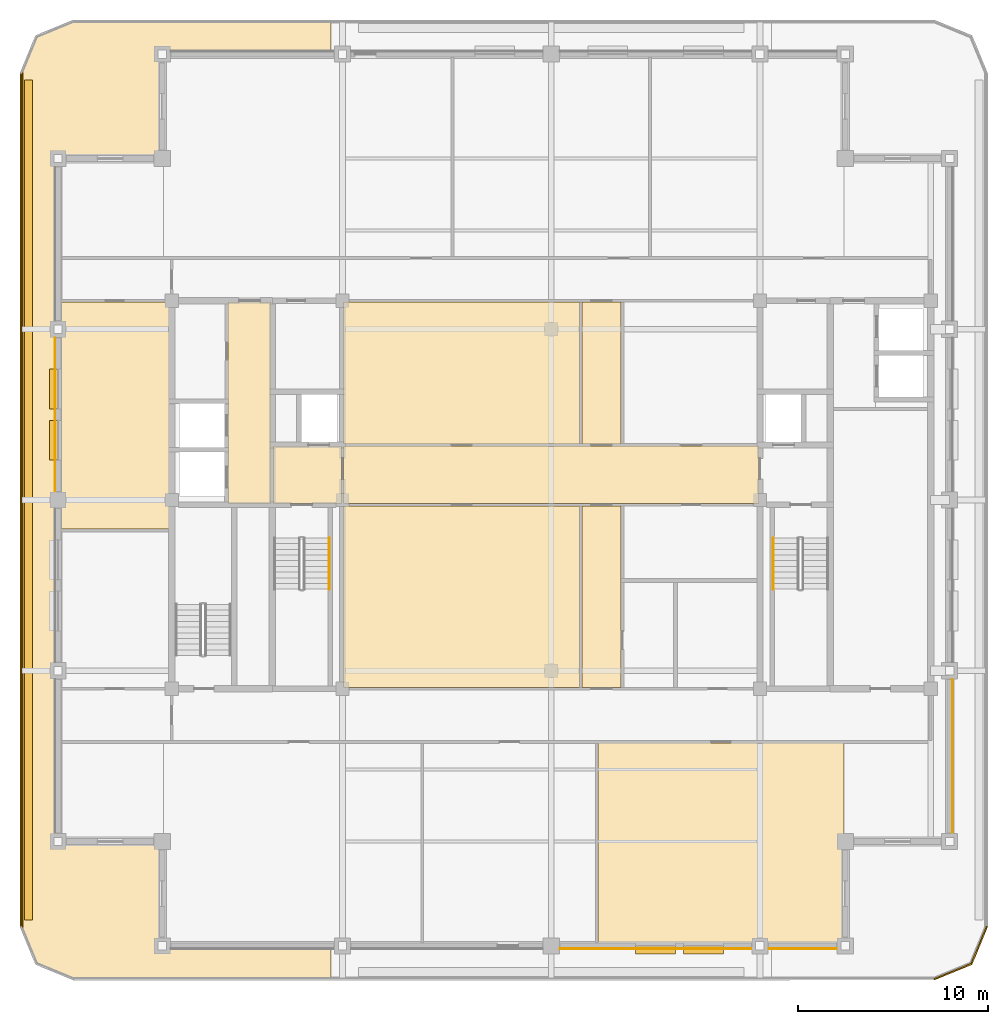
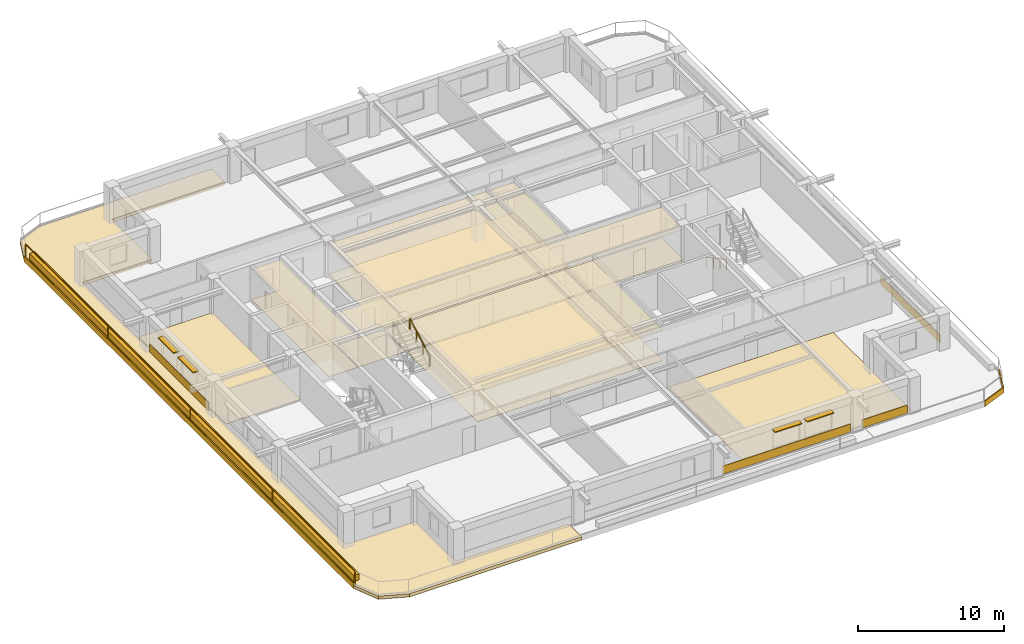
# One storey, part 9 of 11: 25 coverings, 4 shading devices, 3 railings.
"""IFC4 building model written with IfcOpenShell, lengths in metres."""

from ifc_helpers import new_model, si_unit, direction, frame, frame_2d, origin, origin_2d, place, context, subcontext, project, spatial, polyline, rectangle, outline, extrude, material, layer, layer_set, type_object, element, save


model = new_model("IFC4")

# Units and contexts
model_context = context("Model", 3, precision=1e-05, world=origin(), true_north=direction((0.0, 1.0)))
body_context = subcontext(model_context, "Body", "Model", "MODEL_VIEW")
ifc_project = project(units=[si_unit("LENGTHUNIT", "METRE"), si_unit("AREAUNIT", "SQUARE_METRE"), si_unit("VOLUMEUNIT", "CUBIC_METRE"), si_unit("PLANEANGLEUNIT", "RADIAN"), si_unit("MASSUNIT", "GRAM", prefix="KILO")], contexts=[model_context])

# Site, building, storey
site_placement = place(None, origin())
site = spatial("IfcSite", under=ifc_project, at=site_placement, CompositionType="ELEMENT")
building_placement = place(site_placement, origin())
building = spatial("IfcBuilding", under=site, at=building_placement, Name="Zulmaris Gate Convention Tower", CompositionType="ELEMENT")
storey_placement = place(building_placement, frame((0.0, 0.0, 264.119873046875)))
storey = spatial("IfcBuildingStorey", under=building, at=storey_placement, Name="L70", CompositionType="ELEMENT", Elevation=264.119873046875)

# Coverings
ifc_material_1 = material(Name="Precast concrete C40/50", Category="concrete")
ifc_layer_1 = layer(ifc_material_1, 0.0400390625, Name="Precast concrete C40/50")
ifc_layer_set_1 = layer_set([ifc_layer_1], Name="Precast concrete C40/50")
covering_type_1 = type_object("IfcCoveringType", Name="CLAD-SPANDREL-PRECAST", PredefinedType="CLADDING", material=ifc_layer_set_1)
covering_1_placement = place(storey_placement, frame((0.455078125, -23.64990234375, 0.0), z_axis=(0.0, 0.0, 1.0), x_axis=(1.0, 0.0, 0.0)))
element("IfcCovering", 1, at=covering_1_placement, inside=storey, type_object=covering_type_1, Name="CLD-L70-S-2_0", PredefinedType="CLADDING", context=body_context, shape_type="SweptSolid", body=[
    extrude(rectangle(XDim=10.08984375, YDim=0.0400390625, at=frame_2d((5.044921875, 0.0))), origin(), (0.0, 0.0, 1.0), 0.679931640625),
])
covering_2_placement = place(storey_placement, frame((11.455078125, -23.64990234375, 0.0), z_axis=(0.0, 0.0, 1.0), x_axis=(1.0, 0.0, 0.0)))
element("IfcCovering", 2, at=covering_2_placement, inside=storey, type_object=covering_type_1, Name="CLD-L70-S-3_0", PredefinedType="CLADDING", context=body_context, shape_type="SweptSolid", body=[
    extrude(rectangle(XDim=3.58984375, YDim=0.0400390625, at=frame_2d((1.794921875, 0.0))), origin(), (0.0, 0.0, 1.0), 0.679931640625),
])
for number, where, z_axis, x_axis, name in (
    (3, (21.14990234375, -17.544921875, 0.0), (0.0, 0.0, 1.0), (0.0, 1.0, 0.0), "CLD-L70-E-0_0"),
    (4, (-26.14990234375, 8.544921875, 0.0), (0.0, 0.0, 1.0), (0.0, -1.0, 0.0), "CLD-L70-W-2_0"),
):
    element("IfcCovering", number, at=place(storey_placement, frame(where, z_axis=z_axis, x_axis=x_axis)), inside=storey, type_object=covering_type_1, Name=name, PredefinedType="CLADDING", context=body_context, shape_type="SweptSolid", body=[
        extrude(rectangle(XDim=8.08984375, YDim=0.0400390625, at=frame_2d((4.044921875, 0.0))), origin(), (0.0, 0.0, 1.0), 0.679931640625),
    ])
ifc_material_2 = material(Name="White Glazed Architectural Precast Concrete C40/50", Category="concrete")
ifc_layer_2 = layer(ifc_material_2, 0.239990234375, Name="White Glazed Architectural Precast Concrete C40/50")
ifc_layer_set_2 = layer_set([ifc_layer_2], Name="White Glazed Architectural Precast Concrete C40/50")
covering_type_2 = type_object("IfcCoveringType", Name="CLAD-TRAY-DECK", PredefinedType="CLADDING", material=ifc_layer_set_2)
covering_3_placement = place(storey_placement, frame((0.0, 0.0, -0.25)))
element("IfcCovering", 5, at=covering_3_placement, inside=storey, type_object=covering_type_2, Name="L70 West Rounded-Fascia Planter Tray Deck", PredefinedType="CLADDING", context=body_context, shape_type="SweptSolid", body=[
    extrude(outline(polyline([(-28.0, 22.5), (-27.179931640625, 24.47998046875), (-25.199951171875, 25.300048828125), (-11.60205078125, 25.300048828125), (-11.60205078125, 23.5), (-20.5, 23.5), (-20.5, 18.0), (-26.0, 18.0), (-26.0, -18.0), (-20.5, -18.0), (-20.5, -23.5), (-11.60205078125, -23.5), (-11.60205078125, -25.300048828125), (-25.199951171875, -25.300048828125), (-27.179931640625, -24.47998046875), (-28.0, -22.5), (-28.0, 22.5)])), origin(), (0.0, 0.0, 1.0), 0.260009765625),
])
ifc_layer_3 = layer(ifc_material_2, 0.080078125, Name="White Glazed Architectural Precast Concrete C40/50")
ifc_layer_set_3 = layer_set([ifc_layer_3], Name="White Glazed Architectural Precast Concrete C40/50")
covering_type_3 = type_object("IfcCoveringType", Name="CLAD-TRAY-FASCIA", PredefinedType="CLADDING", material=ifc_layer_set_3)
covering_4_placement = place(storey_placement, frame((20.184814453125, -25.262939453125, -0.2900390625), z_axis=(0.0, 0.0, 1.0), x_axis=(0.923873803533, 0.382697263049, 0.0)))
element("IfcCovering", 6, at=covering_4_placement, inside=storey, type_object=covering_type_3, Name="FSC-L70-TR-03", PredefinedType="CLADDING", context=body_context, shape_type="SweptSolid", body=[
    extrude(rectangle(XDim=2.142822265625, YDim=0.080078125, at=frame_2d((1.0712890625, 0.0))), origin(), (0.0, 0.0, 1.0), 0.4599609375),
])
covering_5_placement = place(storey_placement, frame((22.142822265625, -24.464599609375, -0.2900390625), z_axis=(0.0, 0.0, 1.0), x_axis=(0.382656984709, 0.923890487046, 0.0)))
element("IfcCovering", 7, at=covering_5_placement, inside=storey, type_object=covering_type_3, Name="FSC-L70-TR-04", PredefinedType="CLADDING", context=body_context, shape_type="SweptSolid", body=[
    extrude(rectangle(XDim=2.14306640625, YDim=0.080078125, at=frame_2d((1.071533203125, 0.0))), origin(), (0.0, 0.0, 1.0), 0.4599609375),
])
covering_6_placement = place(storey_placement, frame((-27.9599609375, 22.5, -0.2900390625), z_axis=(0.0, 0.0, 1.0), x_axis=(0.0, -1.0, 0.0)))
element("IfcCovering", 8, at=covering_6_placement, inside=storey, type_object=covering_type_3, Name="FSC-L70-TR-11", PredefinedType="CLADDING", context=body_context, shape_type="SweptSolid", body=[
    extrude(rectangle(XDim=45.0, YDim=0.080078125, at=frame_2d((22.5, 0.0))), origin(), (0.0, 0.0, 1.0), 0.4599609375),
])
ifc_material_3 = material(Name="Mineral Fibre Acoustic Ceiling Tile")
ifc_layer_4 = layer(ifc_material_3, 0.02001953125, Name="Mineral Fibre Acoustic Ceiling Tile")
ifc_layer_set_4 = layer_set([ifc_layer_4], Name="Mineral Fibre Acoustic Ceiling Tile")
covering_type_4 = type_object("IfcCoveringType", Name="CLG-ACOUSTIC-600", PredefinedType="CEILING", material=ifc_layer_set_4)
covering_7_placement = place(storey_placement, frame((0.0, 0.0, 2.7001953125)))
element("IfcCovering", 9, at=covering_7_placement, inside=storey, type_object=covering_type_4, Name="CLG-L70-R03", PredefinedType="CEILING", context=body_context, shape_type="SweptSolid", body=[
    extrude(outline(polyline([(-14.639892578125, -0.18994140625), (-11.06005859375, -0.18994140625), (-11.06005859375, 2.840087890625), (-14.639892578125, 2.840087890625), (-14.639892578125, -0.18994140625)])), origin(), (0.0, 0.0, 1.0), 0.02001953125),
])
covering_8_placement = place(storey_placement, frame((0.0, 0.0, 2.538330078125)))
element("IfcCovering", 10, at=covering_8_placement, inside=storey, type_object=covering_type_4, Name="CLG-L70-R17", PredefinedType="CEILING", context=body_context, shape_type="SweptSolid", body=[
    extrude(outline(polyline([(-17.0400390625, -0.18994140625), (-14.760009765625, -0.18994140625), (-14.760009765625, 10.43994140625), (-17.0400390625, 10.43994140625), (-17.0400390625, -0.18994140625)])), origin(), (0.0, 0.0, 1.0), 0.019775390625),
])
covering_9_placement = place(storey_placement, frame((0.0, 0.0, 2.538330078125)))
element("IfcCovering", 11, at=covering_9_placement, inside=storey, type_object=covering_type_4, Name="CLG-L70-R27", PredefinedType="CEILING", context=body_context, shape_type="SweptSolid", body=[
    extrude(outline(polyline([(-10.93994140625, -0.18994140625), (10.93994140625, -0.18994140625), (10.93994140625, 2.840087890625), (-10.93994140625, 2.840087890625), (-10.93994140625, -0.18994140625)])), origin(), (0.0, 0.0, 1.0), 0.019775390625),
])
covering_10_placement = place(storey_placement, frame((0.0, 0.0, 2.538330078125)))
element("IfcCovering", 12, at=covering_10_placement, inside=storey, type_object=covering_type_4, Name="CLG-L70-R28", PredefinedType="CEILING", context=body_context, shape_type="SweptSolid", body=[
    extrude(outline(polyline([(1.610107421875, 2.9599609375), (3.68994140625, 2.9599609375), (3.68994140625, 10.43994140625), (1.610107421875, 10.43994140625), (1.610107421875, 2.9599609375)])), origin(), (0.0, 0.0, 1.0), 0.019775390625),
])
covering_11_placement = place(storey_placement, frame((0.0, 0.0, 2.538330078125)))
element("IfcCovering", 13, at=covering_11_placement, inside=storey, type_object=covering_type_4, Name="CLG-L70-R29", PredefinedType="CEILING", context=body_context, shape_type="SweptSolid", body=[
    extrude(outline(polyline([(1.610107421875, -9.889892578125), (3.68994140625, -9.889892578125), (3.68994140625, -0.31005859375), (1.610107421875, -0.31005859375), (1.610107421875, -9.889892578125)])), origin(), (0.0, 0.0, 1.0), 0.019775390625),
])
covering_12_placement = place(storey_placement, frame((0.0, 0.0, 2.538330078125)))
element("IfcCovering", 14, at=covering_12_placement, inside=storey, type_object=covering_type_4, Name="CLG-L70-R36", PredefinedType="CEILING", context=body_context, shape_type="SweptSolid", body=[
    extrude(outline(polyline([(-10.93994140625, 2.9599609375), (1.489990234375, 2.9599609375), (1.489990234375, 10.43994140625), (-10.93994140625, 10.43994140625), (-10.93994140625, 2.9599609375)])), origin(), (0.0, 0.0, 1.0), 0.019775390625),
])
covering_13_placement = place(storey_placement, frame((0.0, 0.0, 2.538330078125)))
element("IfcCovering", 15, at=covering_13_placement, inside=storey, type_object=covering_type_4, Name="CLG-L70-R38", PredefinedType="CEILING", context=body_context, shape_type="SweptSolid", body=[
    extrude(outline(polyline([(-10.93994140625, -9.889892578125), (1.489990234375, -9.889892578125), (1.489990234375, -0.31005859375), (-10.93994140625, -0.31005859375), (-10.93994140625, -9.889892578125)])), origin(), (0.0, 0.0, 1.0), 0.019775390625),
])
ifc_material_4 = material(Name="Woven Acoustic Wool Carpet Tile")
ifc_layer_5 = layer(ifc_material_4, 0.02001953125, Name="Woven Acoustic Wool Carpet Tile")
ifc_layer_set_5 = layer_set([ifc_layer_5], Name="Woven Acoustic Wool Carpet Tile")
covering_type_5 = type_object("IfcCoveringType", Name="FLR-CARPET-12", PredefinedType="FLOORING", material=ifc_layer_set_5)
covering_14_placement = place(storey_placement, origin())
element("IfcCovering", 16, at=covering_14_placement, inside=storey, type_object=covering_type_5, Name="FLR-L70-R03", PredefinedType="FLOORING", context=body_context, shape_type="SweptSolid", body=[
    extrude(outline(polyline([(-14.639892578125, -0.18994140625), (-11.06005859375, -0.18994140625), (-11.06005859375, 2.840087890625), (-14.639892578125, 2.840087890625), (-14.639892578125, -0.18994140625)])), origin(), (0.0, 0.0, 1.0), 0.02001953125),
])
covering_15_placement = place(storey_placement, origin())
element("IfcCovering", 17, at=covering_15_placement, inside=storey, type_object=covering_type_5, Name="FLR-L70-R17", PredefinedType="FLOORING", context=body_context, shape_type="SweptSolid", body=[
    extrude(outline(polyline([(-17.0400390625, -0.18994140625), (-14.760009765625, -0.18994140625), (-14.760009765625, 10.43994140625), (-17.0400390625, 10.43994140625), (-17.0400390625, -0.18994140625)])), origin(), (0.0, 0.0, 1.0), 0.02001953125),
])
covering_16_placement = place(storey_placement, origin())
element("IfcCovering", 18, at=covering_16_placement, inside=storey, type_object=covering_type_5, Name="FLR-L70-R27", PredefinedType="FLOORING", context=body_context, shape_type="SweptSolid", body=[
    extrude(outline(polyline([(-10.93994140625, -0.18994140625), (10.93994140625, -0.18994140625), (10.93994140625, 2.840087890625), (-10.93994140625, 2.840087890625), (-10.93994140625, -0.18994140625)])), origin(), (0.0, 0.0, 1.0), 0.02001953125),
])
covering_17_placement = place(storey_placement, origin())
element("IfcCovering", 19, at=covering_17_placement, inside=storey, type_object=covering_type_5, Name="FLR-L70-R28", PredefinedType="FLOORING", context=body_context, shape_type="SweptSolid", body=[
    extrude(outline(polyline([(1.610107421875, 2.9599609375), (3.68994140625, 2.9599609375), (3.68994140625, 10.43994140625), (1.610107421875, 10.43994140625), (1.610107421875, 2.9599609375)])), origin(), (0.0, 0.0, 1.0), 0.02001953125),
])
covering_18_placement = place(storey_placement, origin())
element("IfcCovering", 20, at=covering_18_placement, inside=storey, type_object=covering_type_5, Name="FLR-L70-R29", PredefinedType="FLOORING", context=body_context, shape_type="SweptSolid", body=[
    extrude(outline(polyline([(1.610107421875, -9.889892578125), (3.68994140625, -9.889892578125), (3.68994140625, -0.31005859375), (1.610107421875, -0.31005859375), (1.610107421875, -9.889892578125)])), origin(), (0.0, 0.0, 1.0), 0.02001953125),
])
covering_19_placement = place(storey_placement, origin())
element("IfcCovering", 21, at=covering_19_placement, inside=storey, type_object=covering_type_5, Name="FLR-L70-R35", PredefinedType="FLOORING", context=body_context, shape_type="SweptSolid", body=[
    extrude(outline(polyline([(2.4599609375, -23.43994140625), (15.43994140625, -23.43994140625), (15.43994140625, -12.81005859375), (2.4599609375, -12.81005859375), (2.4599609375, -23.43994140625)])), origin(), (0.0, 0.0, 1.0), 0.02001953125),
])
covering_20_placement = place(storey_placement, origin())
element("IfcCovering", 22, at=covering_20_placement, inside=storey, type_object=covering_type_5, Name="FLR-L70-R38", PredefinedType="FLOORING", context=body_context, shape_type="SweptSolid", body=[
    extrude(outline(polyline([(-10.93994140625, -9.889892578125), (1.489990234375, -9.889892578125), (1.489990234375, -0.31005859375), (-10.93994140625, -0.31005859375), (-10.93994140625, -9.889892578125)])), origin(), (0.0, 0.0, 1.0), 0.02001953125),
])
covering_21_placement = place(storey_placement, origin())
element("IfcCovering", 23, at=covering_21_placement, inside=storey, type_object=covering_type_5, Name="FLR-L70-R44", PredefinedType="FLOORING", context=body_context, shape_type="SweptSolid", body=[
    extrude(outline(polyline([(-25.93994140625, -1.5400390625), (-20.06005859375, -1.5400390625), (-20.06005859375, 10.43994140625), (-25.93994140625, 10.43994140625), (-25.93994140625, -1.5400390625)])), origin(), (0.0, 0.0, 1.0), 0.02001953125),
])
ifc_material_5 = material(Name="Polished Granite Terrazzo Tile", Category="masonry")
ifc_layer_6 = layer(ifc_material_5, 0.02001953125, Name="Polished Granite Terrazzo Tile")
ifc_layer_set_6 = layer_set([ifc_layer_6], Name="Polished Granite Terrazzo Tile")
covering_type_6 = type_object("IfcCoveringType", Name="FLR-TERRAZZO-30", PredefinedType="FLOORING", material=ifc_layer_set_6)
covering_22_placement = place(storey_placement, origin())
element("IfcCovering", 24, at=covering_22_placement, inside=storey, type_object=covering_type_6, Name="FLR-L70-R36", PredefinedType="FLOORING", context=body_context, shape_type="SweptSolid", body=[
    extrude(outline(polyline([(-10.93994140625, 2.9599609375), (1.489990234375, 2.9599609375), (1.489990234375, 10.43994140625), (-10.93994140625, 10.43994140625), (-10.93994140625, 2.9599609375)])), origin(), (0.0, 0.0, 1.0), 0.02001953125),
])
ifc_material_6 = material(Name="Botanical Green Glazed Precast Concrete C40/50", Category="concrete")
ifc_layer_7 = layer(ifc_material_6, 0.419921875, Name="Botanical Green Glazed Precast Concrete C40/50")
ifc_layer_set_7 = layer_set([ifc_layer_7], Name="Botanical Green Glazed Precast Concrete C40/50")
covering_type_7 = type_object("IfcCoveringType", Name="PLANTER-BOX-200", PredefinedType="CLADDING", material=ifc_layer_set_7)
covering_23_placement = place(storey_placement, frame((0.0, 0.0, 0.010009765625)))
element("IfcCovering", 25, at=covering_23_placement, inside=storey, type_object=covering_type_7, Name="L70 W Full-Length Balcony Tree Planter Trough", PredefinedType="CLADDING", context=body_context, shape_type="SweptSolid", body=[
    extrude(outline(polyline([(-27.760009765625, -22.14990234375), (-27.340087890625, -22.14990234375), (-27.340087890625, 22.14990234375), (-27.760009765625, 22.14990234375), (-27.760009765625, -22.14990234375)])), origin(), (0.0, 0.0, 1.0), 0.52001953125),
])

# Railings
ifc_material_7 = material(Name="Laminated Glass and Stainless Steel", Category="steel")
railing_type_1 = type_object("IfcRailingType", Name="RL-BALC-1150", PredefinedType="BALUSTRADE", material=ifc_material_7)
railing_1_placement = place(storey_placement, frame((-27.8798828125, 22.5, 0.010009765625)))
element("IfcRailing", 26, at=railing_1_placement, inside=storey, type_object=railing_type_1, Name="RL-L70-BALC-W", PredefinedType="BALUSTRADE", context=body_context, shape_type="SweptSolid", body=[
    extrude(rectangle(XDim=0.048095703125, YDim=0.048095703125, at=origin_2d()), frame((0.0, 0.0, 1.1259765625), z_axis=(0.0, -1.0, 0.0), x_axis=(1.0, 0.0, 0.0)), (0.0, 0.0, 1.0), 45.0),
    extrude(rectangle(XDim=0.048095703125, YDim=0.048095703125, at=origin_2d()), frame((0.0, 0.0, 0.02392578125), z_axis=(0.0, -1.0, 0.0), x_axis=(1.0, 0.0, 0.0)), (0.0, 0.0, 1.0), 45.0),
    extrude(rectangle(XDim=0.0419921875, YDim=0.0419921875, at=origin_2d()), origin(), (0.0, 0.0, 1.0), 1.101806640625),
    extrude(rectangle(XDim=0.0419921875, YDim=0.0419921875, at=origin_2d()), frame((0.0, -11.25, 0.0)), (0.0, 0.0, 1.0), 1.101806640625),
    extrude(rectangle(XDim=0.0419921875, YDim=0.0419921875, at=origin_2d()), frame((0.0, -22.5, 0.0)), (0.0, 0.0, 1.0), 1.101806640625),
    extrude(rectangle(XDim=0.0419921875, YDim=0.0419921875, at=origin_2d()), frame((0.0, -33.75, 0.0)), (0.0, 0.0, 1.0), 1.101806640625),
    extrude(rectangle(XDim=0.0419921875, YDim=0.0419921875, at=origin_2d()), frame((0.0, -45.0, 0.0)), (0.0, 0.0, 1.0), 1.101806640625),
])
ifc_material_8 = material(Name="Brushed Stainless Steel", Category="steel")
railing_type_2 = type_object("IfcRailingType", Name="RL-STH-900", PredefinedType="HANDRAIL", material=ifc_material_8)
railing_2_placement = place(storey_placement, frame((-11.7099609375, -4.699951171875, 1.776611328125)))
element("IfcRailing", 27, at=railing_2_placement, inside=storey, type_object=railing_type_2, Name="L70 ST-1 stair handrail 2", PredefinedType="HANDRAIL", context=body_context, shape_type="SweptSolid", body=[
    extrude(rectangle(XDim=0.048095703125, YDim=0.048095703125, at=origin_2d()), frame((0.0, 0.0, 0.8759765625), z_axis=(0.0, 0.880499220447, 0.474047595492), x_axis=(-1.0, 0.0, 0.0)), (0.0, 0.0, 1.0), 3.06640625),
    extrude(rectangle(XDim=0.0419921875, YDim=0.0419921875, at=origin_2d()), origin(), (0.0, 0.0, 1.0), 0.851806640625),
    extrude(rectangle(XDim=0.0419921875, YDim=0.0419921875, at=origin_2d()), frame((0.0, 0.89990234375, 0.484619140625)), (0.0, 0.0, 1.0), 0.851806640625),
    extrude(rectangle(XDim=0.0419921875, YDim=0.0419921875, at=origin_2d()), frame((0.0, 1.800048828125, 0.968994140625)), (0.0, 0.0, 1.0), 0.851806640625),
    extrude(rectangle(XDim=0.0419921875, YDim=0.0419921875, at=origin_2d()), frame((0.0, 2.699951171875, 1.45361328125)), (0.0, 0.0, 1.0), 0.851806640625),
])
railing_3_placement = place(storey_placement, frame((11.7099609375, -2.0, 0.16162109375)))
element("IfcRailing", 28, at=railing_3_placement, inside=storey, type_object=railing_type_2, Name="L70 ST-2 stair handrail 1", PredefinedType="HANDRAIL", context=body_context, shape_type="SweptSolid", body=[
    extrude(rectangle(XDim=0.048095703125, YDim=0.048095703125, at=origin_2d()), frame((0.0, 0.0, 0.8759765625), z_axis=(0.0, -0.880499220447, 0.474047595492), x_axis=(1.0, 0.0, 0.0)), (0.0, 0.0, 1.0), 3.06640625),
    extrude(rectangle(XDim=0.0419921875, YDim=0.0419921875, at=origin_2d()), origin(), (0.0, 0.0, 1.0), 0.851806640625),
    extrude(rectangle(XDim=0.0419921875, YDim=0.0419921875, at=origin_2d()), frame((0.0, -0.89990234375, 0.484619140625)), (0.0, 0.0, 1.0), 0.851806640625),
    extrude(rectangle(XDim=0.0419921875, YDim=0.0419921875, at=origin_2d()), frame((0.0, -1.800048828125, 0.968994140625)), (0.0, 0.0, 1.0), 0.851806640625),
    extrude(rectangle(XDim=0.0419921875, YDim=0.0419921875, at=origin_2d()), frame((0.0, -2.699951171875, 1.45361328125)), (0.0, 0.0, 1.0), 0.851806640625),
])

# Shading devices
ifc_material_9 = material(Name="Glazed Ceramic Terracotta", Category="masonry")
ifc_layer_8 = layer(ifc_material_9, 0.070068359375, Name="Glazed Ceramic Terracotta")
ifc_layer_set_8 = layer_set([ifc_layer_8], Name="Glazed Ceramic Terracotta")
shading_device_type = type_object("IfcShadingDeviceType", Name="SHD-SUNSHADE-TC", PredefinedType="AWNING", material=ifc_layer_set_8)
for number, where, z_axis, x_axis, name in (
    (29, (4.449951171875, -23.719970703125, 2.22998046875), (0.0, 0.0, 1.0), (1.0, 0.0, 0.0), "SHD-EW-L70-S-2_0-2"),
    (30, (6.972900390625, -23.719970703125, 2.22998046875), (0.0, 0.0, 1.0), (1.0, 0.0, 0.0), "SHD-EW-L70-S-2_0-3"),
):
    element("IfcShadingDevice", number, at=place(storey_placement, frame(where, z_axis=z_axis, x_axis=x_axis)), inside=storey, type_object=shading_device_type, Name=name, PredefinedType="AWNING", context=body_context, shape_type="SweptSolid", body=[
        extrude(rectangle(XDim=2.10009765625, YDim=0.43994140625, at=frame_2d((1.050048828125, 0.0))), origin(), (0.0, 0.0, 1.0), 0.070068359375),
    ])
for number, where, z_axis, x_axis, name in (
    (31, (-26.219970703125, 6.89794921875, 2.22998046875), (0.0, 0.0, 1.0), (0.0, -1.0, 0.0), "SHD-EW-L70-W-2_0-1"),
    (32, (-26.219970703125, 4.201904296875, 2.22998046875), (0.0, 0.0, 1.0), (0.0, -1.0, 0.0), "SHD-EW-L70-W-2_0-2"),
):
    element("IfcShadingDevice", number, at=place(storey_placement, frame(where, z_axis=z_axis, x_axis=x_axis)), inside=storey, type_object=shading_device_type, Name=name, PredefinedType="AWNING", context=body_context, shape_type="SweptSolid", body=[
        extrude(rectangle(XDim=2.099853515625, YDim=0.43994140625, at=frame_2d((1.0498046875, 0.0))), origin(), (0.0, 0.0, 1.0), 0.070068359375),
    ])

save(model, "model.ifc")
